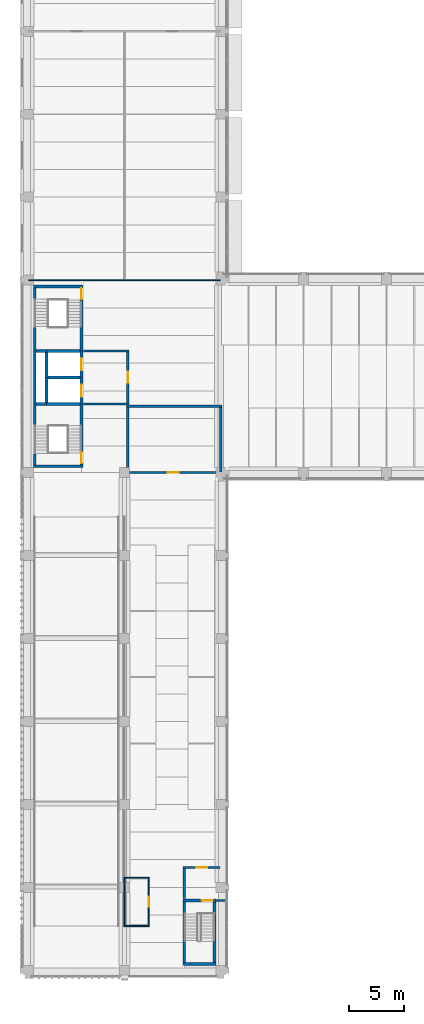
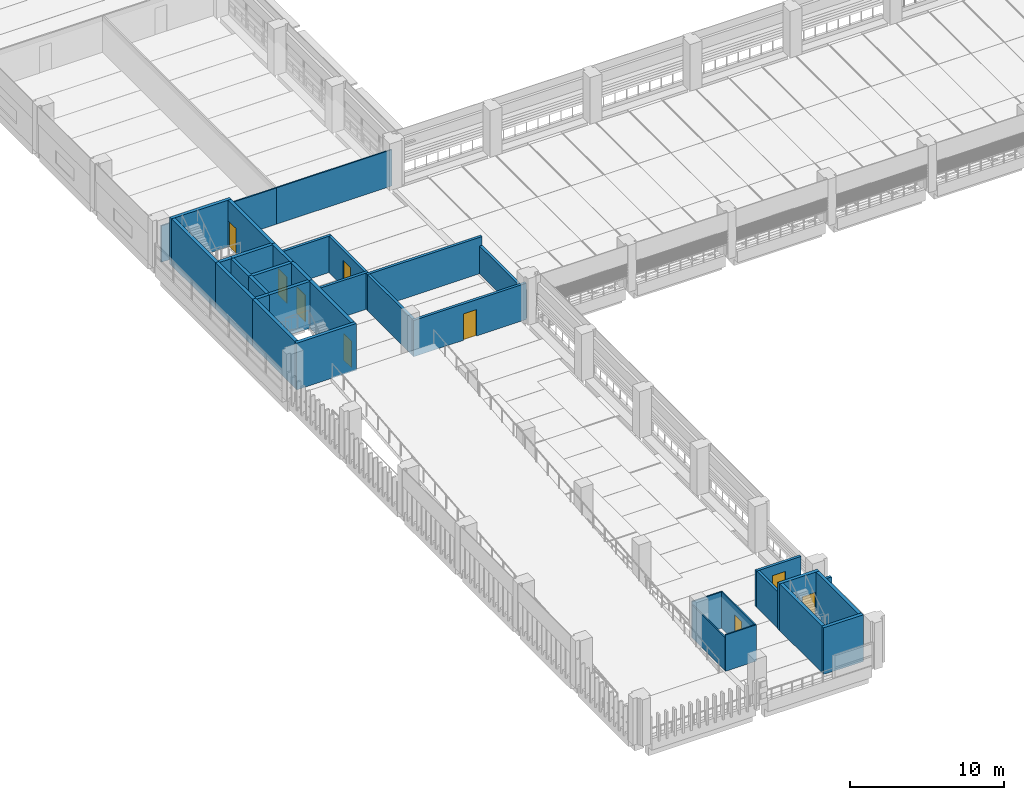
# One storey, part 29 of 57: 36 walls, 9 doors, 9 openings.
"""IFC4 building model written with IfcOpenShell, lengths in metres."""

from ifc_helpers import new_model, si_unit, direction, frame, frame_2d, origin, place, context, subcontext, project, spatial, rectangle, extrude, material, layer, layer_set, type_object, element, fill, save


model = new_model("IFC4")

# Units and contexts
model_context = context("Model", 3, precision=1e-05, world=origin(), true_north=direction((0.0, 1.0)))
body_context = subcontext(model_context, "Body", "Model", "MODEL_VIEW")
ifc_project = project(units=[si_unit("LENGTHUNIT", "METRE"), si_unit("AREAUNIT", "SQUARE_METRE"), si_unit("VOLUMEUNIT", "CUBIC_METRE"), si_unit("PLANEANGLEUNIT", "RADIAN"), si_unit("MASSUNIT", "GRAM", prefix="KILO")], contexts=[model_context])

# Site, building, storey
site_placement = place(None, origin())
site = spatial("IfcSite", under=ifc_project, at=site_placement, CompositionType="ELEMENT")
building_placement = place(site_placement, origin())
building = spatial("IfcBuilding", under=site, at=building_placement, Name="Cour d'Honneur Mobility Palace", CompositionType="ELEMENT")
storey_placement = place(building_placement, frame((0.0, 0.0, 8.199951171875)))
storey = spatial("IfcBuildingStorey", under=building, at=storey_placement, Name="L02", CompositionType="ELEMENT", Elevation=8.199951171875)

# Walls
ifc_material_1 = material(Name="Concrete C50", Category="concrete")
ifc_layer_1 = layer(ifc_material_1, 0.25)
ifc_layer_set_1 = layer_set([ifc_layer_1], Name="Concrete C50")
wall_type_1 = type_object("IfcWallType", Name="Lift shaft wall 250", PredefinedType="SHEAR", material=ifc_layer_set_1)
wall_1_placement = place(storey_placement, frame((1.77490234375, 53.60009765625, 0.0), z_axis=(0.0, 0.0, 1.0), x_axis=(1.0, 0.0, 0.0)))
element("IfcWall", 1, at=wall_1_placement, inside=storey, type_object=wall_type_1, Name="Lift shaft wall WL-CW4 L02", PredefinedType="SHEAR", context=body_context, shape_type="SweptSolid", body=[
    extrude(rectangle(XDim=2.900146484375, YDim=0.25, at=frame_2d((1.4501953125, 0.0))), origin(), (0.0, 0.0, 1.0), 3.699951171875),
])
wall_2_placement = place(storey_placement, frame((1.64990234375, 51.324951171875, 0.0), z_axis=(0.0, 0.0, 1.0), x_axis=(0.0, 1.0, 0.0)))
element("IfcWall", 2, at=wall_2_placement, inside=storey, type_object=wall_type_1, Name="Lift shaft wall WL-CW11 L02", PredefinedType="SHEAR", context=body_context, shape_type="SweptSolid", body=[
    extrude(rectangle(XDim=2.275146484375, YDim=0.25, at=frame_2d((1.1376953125, 0.0))), origin(), (0.0, 0.0, 1.0), 3.699951171875),
])
wall_3_placement = place(storey_placement, frame((1.64990234375, 53.60009765625, 0.0), z_axis=(0.0, 0.0, 1.0), x_axis=(0.0, 1.0, 0.0)))
element("IfcWall", 3, at=wall_3_placement, inside=storey, type_object=wall_type_1, Name="Lift shaft wall WL-CW12 L02", PredefinedType="SHEAR", context=body_context, shape_type="SweptSolid", body=[
    extrude(rectangle(XDim=2.27490234375, YDim=0.25, at=frame_2d((1.137451171875, 0.0))), origin(), (0.0, 0.0, 1.0), 3.699951171875),
])

# Wall, opening, door
wall_4_placement = place(storey_placement, frame((4.800048828125, 51.199951171875, 0.0), z_axis=(0.0, 0.0, 1.0), x_axis=(0.0, 1.0, 0.0)))
wall_4 = element("IfcWall", 4, at=wall_4_placement, inside=storey, type_object=wall_type_1, Name="Lift shaft wall WL-CW14 L02", PredefinedType="SHEAR", context=body_context, shape_type="SweptSolid", body=[
    extrude(rectangle(XDim=2.400146484375, YDim=0.25, at=frame_2d((1.2001953125, 0.0))), origin(), (0.0, 0.0, 1.0), 3.699951171875),
])
opening_1_placement = place(wall_4_placement, frame((0.64990234375, 0.0, 0.0)))
opening_1 = element("IfcOpeningElement", 5, at=opening_1_placement, cuts=wall_4, Name="Opening LD3", PredefinedType="OPENING", context=body_context, shape_type="SweptSolid", body=[
    extrude(rectangle(XDim=1.10009765625, YDim=2.10009765625, at=frame_2d((0.550048828125, 1.050048828125))), frame((0.0, 0.135009765625, 0.0), z_axis=(0.0, -1.0, 0.0), x_axis=(1.0, 0.0, 0.0)), (0.0, 0.0, 1.0), 0.27001953125),
])
ifc_material_2 = material(Name="Stainless steel", Category="steel")
door_type_1 = type_object("IfcDoorType", Name="Landing door 1100 x 2100", OperationType="SLIDING_TO_LEFT", PredefinedType="DOOR", material=ifc_material_2)
door_1_placement = place(opening_1_placement, origin())
door_1 = element("IfcDoor", 6, at=door_1_placement, inside=storey, type_object=door_type_1, Name="Landing door LF-CW1 L02", OperationType="SLIDING_TO_LEFT", OverallHeight=2.10009765625, OverallWidth=1.10009765625, PredefinedType="DOOR", context=body_context, shape_type="SweptSolid", body=[
    extrude(rectangle(XDim=1.10009765625, YDim=2.10009765625, at=frame_2d((0.550048828125, 1.050048828125))), frame((0.0, 0.02490234375, 0.0), z_axis=(0.0, -1.0, 0.0), x_axis=(1.0, 0.0, 0.0)), (0.0, 0.0, 1.0), 0.050048828125),
])
fill(opening_1, door_1)

wall_5_placement = place(storey_placement, frame((4.800048828125, 53.60009765625, 0.0), z_axis=(0.0, 0.0, 1.0), x_axis=(0.0, 1.0, 0.0)))
wall_5 = element("IfcWall", 7, at=wall_5_placement, inside=storey, type_object=wall_type_1, Name="Lift shaft wall WL-CW15 L02", PredefinedType="SHEAR", context=body_context, shape_type="SweptSolid", body=[
    extrude(rectangle(XDim=2.39990234375, YDim=0.25, at=frame_2d((1.199951171875, 0.0))), origin(), (0.0, 0.0, 1.0), 3.699951171875),
])
opening_2_placement = place(wall_5_placement, frame((0.64990234375, 0.0, 0.0)))
opening_2 = element("IfcOpeningElement", 8, at=opening_2_placement, cuts=wall_5, Name="Opening LD13", PredefinedType="OPENING", context=body_context, shape_type="SweptSolid", body=[
    extrude(rectangle(XDim=1.10009765625, YDim=2.10009765625, at=frame_2d((0.550048828125, 1.050048828125))), frame((0.0, 0.135009765625, 0.0), z_axis=(0.0, -1.0, 0.0), x_axis=(1.0, 0.0, 0.0)), (0.0, 0.0, 1.0), 0.27001953125),
])
door_2_placement = place(opening_2_placement, origin())
door_2 = element("IfcDoor", 9, at=door_2_placement, inside=storey, type_object=door_type_1, Name="Landing door LF-CW2 L02", OperationType="SLIDING_TO_LEFT", OverallHeight=2.10009765625, OverallWidth=1.10009765625, PredefinedType="DOOR", context=body_context, shape_type="SweptSolid", body=[
    extrude(rectangle(XDim=1.10009765625, YDim=2.10009765625, at=frame_2d((0.550048828125, 1.050048828125))), frame((0.0, 0.02490234375, 0.0), z_axis=(0.0, -1.0, 0.0), x_axis=(1.0, 0.0, 0.0)), (0.0, 0.0, 1.0), 0.050048828125),
])
fill(opening_2, door_2)

# Wall
ifc_material_3 = material(Name="Gypsum plasterboard")
ifc_layer_2 = layer(ifc_material_3, 0.10009765625)
ifc_layer_set_2 = layer_set([ifc_layer_2], Name="Gypsum plasterboard")
wall_type_2 = type_object("IfcWallType", Name="Partition 100", PredefinedType="PARTITIONING", material=ifc_layer_set_2)
wall_6_placement = place(storey_placement, frame((8.64990234375, 4.0, 0.0), z_axis=(0.0, 0.0, 1.0), x_axis=(1.0, 0.0, 0.0)))
element("IfcWall", 10, at=wall_6_placement, inside=storey, type_object=wall_type_2, Name="Partition 001", PredefinedType="PARTITIONING", context=body_context, shape_type="SweptSolid", body=[
    extrude(rectangle(XDim=2.300048828125, YDim=0.10009765625, at=frame_2d((1.14990234375, 0.0))), origin(), (0.0, 0.0, 1.0), 2.880126953125),
])

# Wall, opening, door
wall_7_placement = place(storey_placement, frame((10.89990234375, 4.050048828125, 0.0), z_axis=(0.0, 0.0, 1.0), x_axis=(0.0, 1.0, 0.0)))
wall_7 = element("IfcWall", 11, at=wall_7_placement, inside=storey, type_object=wall_type_2, Name="Partition 002", PredefinedType="PARTITIONING", context=body_context, shape_type="SweptSolid", body=[
    extrude(rectangle(XDim=4.25, YDim=0.10009765625, at=frame_2d((2.125, 0.0))), origin(), (0.0, 0.0, 1.0), 2.880126953125),
])
opening_3_placement = place(wall_7_placement, frame((1.675048828125, 0.0, 0.0)))
opening_3 = element("IfcOpeningElement", 12, at=opening_3_placement, cuts=wall_7, Name="Opening D0209", PredefinedType="OPENING", context=body_context, shape_type="SweptSolid", body=[
    extrude(rectangle(XDim=0.89990234375, YDim=2.10009765625, at=frame_2d((0.449951171875, 1.050048828125))), frame((0.0, 0.06005859375, 0.0), z_axis=(0.0, -1.0, 0.0), x_axis=(1.0, 0.0, 0.0)), (0.0, 0.0, 1.0), 0.1201171875),
])
ifc_material_4 = material(Name="Solid timber", Category="wood")
door_type_2 = type_object("IfcDoorType", Name="Single door 900 x 2100", OperationType="SINGLE_SWING_LEFT", PredefinedType="DOOR", material=ifc_material_4)
door_3_placement = place(opening_3_placement, origin())
door_3 = element("IfcDoor", 13, at=door_3_placement, inside=storey, type_object=door_type_2, Name="Door Attendant Room West", OperationType="SINGLE_SWING_LEFT", OverallHeight=2.10009765625, OverallWidth=0.89990234375, PredefinedType="DOOR", context=body_context, shape_type="SweptSolid", body=[
    extrude(rectangle(XDim=0.89990234375, YDim=2.10009765625, at=frame_2d((0.449951171875, 1.050048828125))), frame((0.0, 0.02490234375, 0.0), z_axis=(0.0, -1.0, 0.0), x_axis=(1.0, 0.0, 0.0)), (0.0, 0.0, 1.0), 0.050048828125),
])
fill(opening_3, door_3)

# Walls
wall_8_placement = place(storey_placement, frame((10.949951171875, 8.35009765625, 0.0), z_axis=(0.0, 0.0, 1.0), x_axis=(-1.0, 0.0, 0.0)))
element("IfcWall", 14, at=wall_8_placement, inside=storey, type_object=wall_type_2, Name="Partition 009", PredefinedType="PARTITIONING", context=body_context, shape_type="SweptSolid", body=[
    extrude(rectangle(XDim=2.300048828125, YDim=0.10009765625, at=frame_2d((1.14990234375, 0.0))), origin(), (0.0, 0.0, 1.0), 2.880126953125),
])
wall_9_placement = place(storey_placement, frame((0.06005859375, 62.39990234375, 0.0), z_axis=(0.0, 0.0, 1.0), x_axis=(1.0, 0.0, 0.0)))
element("IfcWall", 15, at=wall_9_placement, inside=storey, type_object=wall_type_2, Name="Partition 040", PredefinedType="PARTITIONING", context=body_context, shape_type="SweptSolid", body=[
    extrude(rectangle(XDim=8.639892578125, YDim=0.10009765625, at=frame_2d((4.31982421875, 0.0))), origin(), (0.0, 0.0, 1.0), 2.880126953125),
])
wall_10_placement = place(storey_placement, frame((8.699951171875, 62.39990234375, 0.0), z_axis=(0.0, 0.0, 1.0), x_axis=(1.0, 0.0, 0.0)))
element("IfcWall", 16, at=wall_10_placement, inside=storey, type_object=wall_type_2, Name="Partition 041", PredefinedType="PARTITIONING", context=body_context, shape_type="SweptSolid", body=[
    extrude(rectangle(XDim=8.64013671875, YDim=0.10009765625, at=frame_2d((4.320068359375, 0.0))), origin(), (0.0, 0.0, 1.0), 2.880126953125),
])
ifc_material_5 = material(Name="Gypsum plasterboard")
ifc_layer_3 = layer(ifc_material_5, 0.10009765625)
ifc_layer_set_3 = layer_set([ifc_layer_3], Name="Gypsum plasterboard")
wall_type_3 = type_object("IfcWallType", Name="Partition 100 under beam 1100", PredefinedType="PARTITIONING", material=ifc_layer_set_3)
wall_11_placement = place(storey_placement, frame((8.699951171875, 8.300048828125, 0.0), z_axis=(0.0, 0.0, 1.0), x_axis=(0.0, -1.0, 0.0)))
element("IfcWall", 17, at=wall_11_placement, inside=storey, type_object=wall_type_3, Name="Partition 008", PredefinedType="PARTITIONING", context=body_context, shape_type="SweptSolid", body=[
    extrude(rectangle(XDim=4.25, YDim=0.10009765625, at=frame_2d((2.125, 0.0))), origin(), (0.0, 0.0, 1.0), 2.60009765625),
])
ifc_material_6 = material(Name="Gypsum plasterboard")
ifc_layer_4 = layer(ifc_material_6, 0.199951171875)
ifc_layer_set_4 = layer_set([ifc_layer_4], Name="Gypsum plasterboard")
wall_type_4 = type_object("IfcWallType", Name="Partition 200 rated EI 120", PredefinedType="PARTITIONING", material=ifc_layer_set_4)
wall_12_placement = place(storey_placement, frame((16.949951171875, 6.300048828125, 0.0), z_axis=(0.0, 0.0, 1.0), x_axis=(1.0, 0.0, 0.0)))
element("IfcWall", 18, at=wall_12_placement, inside=storey, type_object=wall_type_4, Name="Partition 005", PredefinedType="PARTITIONING", context=body_context, shape_type="SweptSolid", body=[
    extrude(rectangle(XDim=0.949951171875, YDim=0.199951171875, at=frame_2d((0.47509765625, 0.0))), origin(), (0.0, 0.0, 1.0), 2.880126953125),
])
wall_13_placement = place(storey_placement, frame((14.10009765625, 9.199951171875, 0.0), z_axis=(0.0, 0.0, 1.0), x_axis=(0.0, -1.0, 0.0)))
element("IfcWall", 19, at=wall_13_placement, inside=storey, type_object=wall_type_4, Name="Partition 012", PredefinedType="PARTITIONING", context=body_context, shape_type="SweptSolid", body=[
    extrude(rectangle(XDim=2.724853515625, YDim=0.199951171875, at=frame_2d((1.3623046875, 0.0))), origin(), (0.0, 0.0, 1.0), 2.880126953125),
])

# Wall, opening, door
wall_14_placement = place(storey_placement, frame((17.340087890625, 9.300048828125, 0.0), z_axis=(0.0, 0.0, 1.0), x_axis=(-1.0, 0.0, 0.0)))
wall_14 = element("IfcWall", 20, at=wall_14_placement, inside=storey, type_object=wall_type_4, Name="Partition 013", PredefinedType="PARTITIONING", context=body_context, shape_type="SweptSolid", body=[
    extrude(rectangle(XDim=3.340087890625, YDim=0.199951171875, at=frame_2d((1.669921875, 0.0))), origin(), (0.0, 0.0, 1.0), 2.880126953125),
])
opening_4_placement = place(wall_14_placement, frame((1.169921875, 0.0, 0.0)))
opening_4 = element("IfcOpeningElement", 21, at=opening_4_placement, cuts=wall_14, Name="Opening D0207", PredefinedType="OPENING", context=body_context, shape_type="SweptSolid", body=[
    extrude(rectangle(XDim=1.0, YDim=2.10009765625, at=frame_2d((0.5, 1.050048828125))), frame((0.0, 0.10986328125, 0.0), z_axis=(0.0, -1.0, 0.0), x_axis=(1.0, 0.0, 0.0)), (0.0, 0.0, 1.0), 0.219970703125),
])
ifc_material_7 = material(Name="Galvanised steel", Category="steel")
door_type_3 = type_object("IfcDoorType", Name="Fire door FD120 1000 x 2100", OperationType="SINGLE_SWING_LEFT", PredefinedType="DOOR", material=ifc_material_7)
door_4_placement = place(opening_4_placement, origin())
door_4 = element("IfcDoor", 22, at=door_4_placement, inside=storey, type_object=door_type_3, Name="Door Stair Lobby RW", OperationType="SINGLE_SWING_LEFT", OverallHeight=2.10009765625, OverallWidth=1.0, PredefinedType="DOOR", context=body_context, shape_type="SweptSolid", body=[
    extrude(rectangle(XDim=1.0, YDim=2.10009765625, at=frame_2d((0.5, 1.050048828125))), frame((0.0, 0.02490234375, 0.0), z_axis=(0.0, -1.0, 0.0), x_axis=(1.0, 0.0, 0.0)), (0.0, 0.0, 1.0), 0.050048828125),
])
fill(opening_4, door_4)

wall_15_placement = place(storey_placement, frame((8.89990234375, 45.0, 0.0), z_axis=(0.0, 0.0, 1.0), x_axis=(1.0, 0.0, 0.0)))
wall_15 = element("IfcWall", 23, at=wall_15_placement, inside=storey, type_object=wall_type_4, Name="Partition 015", PredefinedType="PARTITIONING", context=body_context, shape_type="SweptSolid", body=[
    extrude(rectangle(XDim=8.440185546875, YDim=0.199951171875, at=frame_2d((4.22021484375, 0.0))), origin(), (0.0, 0.0, 1.0), 2.880126953125),
])
opening_5_placement = place(wall_15_placement, frame((3.719970703125, 0.0, 0.0)))
opening_5 = element("IfcOpeningElement", 24, at=opening_5_placement, cuts=wall_15, Name="Opening D0211", PredefinedType="OPENING", context=body_context, shape_type="SweptSolid", body=[
    extrude(rectangle(XDim=1.0, YDim=2.10009765625, at=frame_2d((0.5, 1.050048828125))), frame((0.0, 0.10986328125, 0.0), z_axis=(0.0, -1.0, 0.0), x_axis=(1.0, 0.0, 0.0)), (0.0, 0.0, 1.0), 0.219970703125),
])
door_5_placement = place(opening_5_placement, origin())
door_5 = element("IfcDoor", 25, at=door_5_placement, inside=storey, type_object=door_type_3, Name="Door EV Switch Room West", OperationType="SINGLE_SWING_RIGHT", OverallHeight=2.10009765625, OverallWidth=1.0, PredefinedType="DOOR", context=body_context, shape_type="SweptSolid", body=[
    extrude(rectangle(XDim=1.0, YDim=2.10009765625, at=frame_2d((0.5, 1.050048828125))), frame((0.0, 0.02490234375, 0.0), z_axis=(0.0, -1.0, 0.0), x_axis=(1.0, 0.0, 0.0)), (0.0, 0.0, 1.0), 0.050048828125),
])
fill(opening_5, door_5)

# Walls
wall_16_placement = place(storey_placement, frame((9.0, 50.89990234375, 0.0), z_axis=(0.0, 0.0, 1.0), x_axis=(0.0, -1.0, 0.0)))
element("IfcWall", 26, at=wall_16_placement, inside=storey, type_object=wall_type_4, Name="Partition 024", PredefinedType="PARTITIONING", context=body_context, shape_type="SweptSolid", body=[
    extrude(rectangle(XDim=5.7998046875, YDim=0.199951171875, at=frame_2d((2.89990234375, 0.0))), origin(), (0.0, 0.0, 1.0), 2.880126953125),
])
wall_17_placement = place(storey_placement, frame((17.5, 51.0, 0.0), z_axis=(0.0, 0.0, 1.0), x_axis=(-1.0, 0.0, 0.0)))
element("IfcWall", 27, at=wall_17_placement, inside=storey, type_object=wall_type_4, Name="Partition 025", PredefinedType="PARTITIONING", context=body_context, shape_type="SweptSolid", body=[
    extrude(rectangle(XDim=8.60009765625, YDim=0.199951171875, at=frame_2d((4.300048828125, 0.0))), origin(), (0.0, 0.0, 1.0), 2.880126953125),
])
wall_18_placement = place(storey_placement, frame((4.97509765625, 51.199951171875, 0.0), z_axis=(0.0, 0.0, 1.0), x_axis=(1.0, 0.0, 0.0)))
element("IfcWall", 28, at=wall_18_placement, inside=storey, type_object=wall_type_4, Name="Partition 028", PredefinedType="PARTITIONING", context=body_context, shape_type="SweptSolid", body=[
    extrude(rectangle(XDim=4.125, YDim=0.199951171875, at=frame_2d((2.0625, 0.0))), origin(), (0.0, 0.0, 1.0), 2.880126953125),
])

# Wall, opening, door
wall_19_placement = place(storey_placement, frame((9.0, 51.300048828125, 0.0), z_axis=(0.0, 0.0, 1.0), x_axis=(0.0, 1.0, 0.0)))
wall_19 = element("IfcWall", 29, at=wall_19_placement, inside=storey, type_object=wall_type_4, Name="Partition 029", PredefinedType="PARTITIONING", context=body_context, shape_type="SweptSolid", body=[
    extrude(rectangle(XDim=4.599853515625, YDim=0.199951171875, at=frame_2d((2.2998046875, 0.0))), origin(), (0.0, 0.0, 1.0), 2.880126953125),
])
opening_6_placement = place(wall_19_placement, frame((1.800048828125, 0.0, 0.0)))
opening_6 = element("IfcOpeningElement", 30, at=opening_6_placement, cuts=wall_19, Name="Opening D0201", PredefinedType="OPENING", context=body_context, shape_type="SweptSolid", body=[
    extrude(rectangle(XDim=1.0, YDim=2.10009765625, at=frame_2d((0.5, 1.050048828125))), frame((0.0, 0.10986328125, 0.0), z_axis=(0.0, -1.0, 0.0), x_axis=(1.0, 0.0, 0.0)), (0.0, 0.0, 1.0), 0.219970703125),
])
door_6_placement = place(opening_6_placement, origin())
door_6 = element("IfcDoor", 31, at=door_6_placement, inside=storey, type_object=door_type_3, Name="Door Firefighting Lobby CW", OperationType="SINGLE_SWING_RIGHT", OverallHeight=2.10009765625, OverallWidth=1.0, PredefinedType="DOOR", context=body_context, shape_type="SweptSolid", body=[
    extrude(rectangle(XDim=1.0, YDim=2.10009765625, at=frame_2d((0.5, 1.050048828125))), frame((0.0, 0.02490234375, 0.0), z_axis=(0.0, -1.0, 0.0), x_axis=(1.0, 0.0, 0.0)), (0.0, 0.0, 1.0), 0.050048828125),
])
fill(opening_6, door_6)

# Walls
wall_20_placement = place(storey_placement, frame((9.10009765625, 56.0, 0.0), z_axis=(0.0, 0.0, 1.0), x_axis=(-1.0, 0.0, 0.0)))
element("IfcWall", 32, at=wall_20_placement, inside=storey, type_object=wall_type_4, Name="Partition 037", PredefinedType="PARTITIONING", context=body_context, shape_type="SweptSolid", body=[
    extrude(rectangle(XDim=4.125, YDim=0.199951171875, at=frame_2d((2.0625, 0.0))), origin(), (0.0, 0.0, 1.0), 2.880126953125),
])
ifc_material_8 = material(Name="Gypsum plasterboard")
ifc_layer_5 = layer(ifc_material_8, 0.199951171875)
ifc_layer_set_5 = layer_set([ifc_layer_5], Name="Gypsum plasterboard")
wall_type_5 = type_object("IfcWallType", Name="Partition 200 rated EI 120 under beam 1500", PredefinedType="PARTITIONING", material=ifc_layer_set_5)
wall_21_placement = place(storey_placement, frame((17.39990234375, 45.06005859375, 0.0), z_axis=(0.0, 0.0, 1.0), x_axis=(0.0, 1.0, 0.0)))
element("IfcWall", 33, at=wall_21_placement, inside=storey, type_object=wall_type_5, Name="Partition 018", PredefinedType="PARTITIONING", context=body_context, shape_type="SweptSolid", body=[
    extrude(rectangle(XDim=5.83984375, YDim=0.199951171875, at=frame_2d((2.919921875, 0.0))), origin(), (0.0, 0.0, 1.0), 2.199951171875),
])
ifc_material_9 = material(Name="Concrete C50", Category="concrete")
ifc_layer_6 = layer(ifc_material_9, 0.25)
ifc_layer_set_6 = layer_set([ifc_layer_6], Name="Concrete C50")
wall_type_6 = type_object("IfcWallType", Name="Shaft wall 250", PredefinedType="SHEAR", material=ifc_layer_set_6)
wall_22_placement = place(storey_placement, frame((0.574951171875, 51.199951171875, 0.0), z_axis=(0.0, 0.0, 1.0), x_axis=(0.0, 1.0, 0.0)))
element("IfcWall", 34, at=wall_22_placement, inside=storey, type_object=wall_type_6, Name="Shaft wall WR-CW9 L02", PredefinedType="SHEAR", context=body_context, shape_type="SweptSolid", body=[
    extrude(rectangle(XDim=4.800048828125, YDim=0.25, at=frame_2d((2.39990234375, 0.0))), origin(), (0.0, 0.0, 1.0), 3.699951171875),
])
ifc_material_10 = material(Name="Concrete C50", Category="concrete")
ifc_layer_7 = layer(ifc_material_10, 0.25)
ifc_layer_set_7 = layer_set([ifc_layer_7], Name="Concrete C50")
wall_type_7 = type_object("IfcWallType", Name="Stair wall 250", PredefinedType="SHEAR", material=ifc_layer_set_7)
wall_23_placement = place(storey_placement, frame((0.449951171875, 45.574951171875, 0.0), z_axis=(0.0, 0.0, 1.0), x_axis=(1.0, 0.0, 0.0)))
element("IfcWall", 35, at=wall_23_placement, inside=storey, type_object=wall_type_7, Name="Stair wall WS-CW1 L02", PredefinedType="SHEAR", context=body_context, shape_type="SweptSolid", body=[
    extrude(rectangle(XDim=4.47509765625, YDim=0.25, at=frame_2d((2.237548828125, 0.0))), origin(), (0.0, 0.0, 1.0), 3.699951171875),
])
wall_24_placement = place(storey_placement, frame((0.699951171875, 51.199951171875, 0.0), z_axis=(0.0, 0.0, 1.0), x_axis=(1.0, 0.0, 0.0)))
element("IfcWall", 36, at=wall_24_placement, inside=storey, type_object=wall_type_7, Name="Stair wall WS-CW2 L02", PredefinedType="SHEAR", context=body_context, shape_type="SweptSolid", body=[
    extrude(rectangle(XDim=0.949951171875, YDim=0.25, at=frame_2d((0.47509765625, 0.0))), origin(), (0.0, 0.0, 1.0), 3.699951171875),
])
wall_25_placement = place(storey_placement, frame((1.64990234375, 51.199951171875, 0.0), z_axis=(0.0, 0.0, 1.0), x_axis=(1.0, 0.0, 0.0)))
element("IfcWall", 37, at=wall_25_placement, inside=storey, type_object=wall_type_7, Name="Stair wall WS-CW3 L02", PredefinedType="SHEAR", context=body_context, shape_type="SweptSolid", body=[
    extrude(rectangle(XDim=3.025146484375, YDim=0.25, at=frame_2d((1.5126953125, 0.0))), origin(), (0.0, 0.0, 1.0), 3.699951171875),
])
wall_26_placement = place(storey_placement, frame((0.699951171875, 56.0, 0.0), z_axis=(0.0, 0.0, 1.0), x_axis=(1.0, 0.0, 0.0)))
element("IfcWall", 38, at=wall_26_placement, inside=storey, type_object=wall_type_7, Name="Stair wall WS-CW5 L02", PredefinedType="SHEAR", context=body_context, shape_type="SweptSolid", body=[
    extrude(rectangle(XDim=0.949951171875, YDim=0.25, at=frame_2d((0.47509765625, 0.0))), origin(), (0.0, 0.0, 1.0), 3.699951171875),
])
wall_27_placement = place(storey_placement, frame((1.64990234375, 56.0, 0.0), z_axis=(0.0, 0.0, 1.0), x_axis=(1.0, 0.0, 0.0)))
element("IfcWall", 39, at=wall_27_placement, inside=storey, type_object=wall_type_7, Name="Stair wall WS-CW6 L02", PredefinedType="SHEAR", context=body_context, shape_type="SweptSolid", body=[
    extrude(rectangle(XDim=3.025146484375, YDim=0.25, at=frame_2d((1.5126953125, 0.0))), origin(), (0.0, 0.0, 1.0), 3.699951171875),
])
wall_28_placement = place(storey_placement, frame((0.449951171875, 61.824951171875, 0.0), z_axis=(0.0, 0.0, 1.0), x_axis=(1.0, 0.0, 0.0)))
element("IfcWall", 40, at=wall_28_placement, inside=storey, type_object=wall_type_7, Name="Stair wall WS-CW7 L02", PredefinedType="SHEAR", context=body_context, shape_type="SweptSolid", body=[
    extrude(rectangle(XDim=4.47509765625, YDim=0.25, at=frame_2d((2.237548828125, 0.0))), origin(), (0.0, 0.0, 1.0), 3.699951171875),
])
wall_29_placement = place(storey_placement, frame((0.574951171875, 45.699951171875, 0.0), z_axis=(0.0, 0.0, 1.0), x_axis=(0.0, 1.0, 0.0)))
element("IfcWall", 41, at=wall_29_placement, inside=storey, type_object=wall_type_7, Name="Stair wall WS-CW8 L02", PredefinedType="SHEAR", context=body_context, shape_type="SweptSolid", body=[
    extrude(rectangle(XDim=5.5, YDim=0.25, at=frame_2d((2.75, 0.0))), origin(), (0.0, 0.0, 1.0), 3.699951171875),
])
wall_30_placement = place(storey_placement, frame((0.574951171875, 56.0, 0.0), z_axis=(0.0, 0.0, 1.0), x_axis=(0.0, 1.0, 0.0)))
element("IfcWall", 42, at=wall_30_placement, inside=storey, type_object=wall_type_7, Name="Stair wall WS-CW10 L02", PredefinedType="SHEAR", context=body_context, shape_type="SweptSolid", body=[
    extrude(rectangle(XDim=5.699951171875, YDim=0.25, at=frame_2d((2.85009765625, 0.0))), origin(), (0.0, 0.0, 1.0), 3.699951171875),
])

# Wall, opening, door
wall_31_placement = place(storey_placement, frame((4.800048828125, 45.699951171875, 0.0), z_axis=(0.0, 0.0, 1.0), x_axis=(0.0, 1.0, 0.0)))
wall_31 = element("IfcWall", 43, at=wall_31_placement, inside=storey, type_object=wall_type_7, Name="Stair wall WS-CW13 L02", PredefinedType="SHEAR", context=body_context, shape_type="SweptSolid", body=[
    extrude(rectangle(XDim=5.5, YDim=0.25, at=frame_2d((2.75, 0.0))), origin(), (0.0, 0.0, 1.0), 3.699951171875),
])
opening_7_placement = place(wall_31_placement, frame((0.14990234375, 0.0, 0.0)))
opening_7 = element("IfcOpeningElement", 44, at=opening_7_placement, cuts=wall_31, Name="Opening S131", PredefinedType="OPENING", context=body_context, shape_type="SweptSolid", body=[
    extrude(rectangle(XDim=1.0, YDim=2.10009765625, at=frame_2d((0.5, 1.050048828125))), frame((0.0, 0.135009765625, 0.0), z_axis=(0.0, -1.0, 0.0), x_axis=(1.0, 0.0, 0.0)), (0.0, 0.0, 1.0), 0.27001953125),
])
ifc_material_11 = material(Name="Galvanised steel", Category="steel")
door_type_4 = type_object("IfcDoorType", Name="Fire door FD120 stair 1000 x 2100", OperationType="SINGLE_SWING_LEFT", PredefinedType="DOOR", material=ifc_material_11)
door_7_placement = place(opening_7_placement, origin())
door_7 = element("IfcDoor", 45, at=door_7_placement, inside=storey, type_object=door_type_4, Name="Stair door ST-CW1 L02", OperationType="SINGLE_SWING_RIGHT", OverallHeight=2.10009765625, OverallWidth=1.0, PredefinedType="DOOR", context=body_context, shape_type="SweptSolid", body=[
    extrude(rectangle(XDim=1.0, YDim=2.10009765625, at=frame_2d((0.5, 1.050048828125))), frame((0.0, 0.02490234375, 0.0), z_axis=(0.0, -1.0, 0.0), x_axis=(1.0, 0.0, 0.0)), (0.0, 0.0, 1.0), 0.050048828125),
])
fill(opening_7, door_7)

wall_32_placement = place(storey_placement, frame((4.800048828125, 56.0, 0.0), z_axis=(0.0, 0.0, 1.0), x_axis=(0.0, 1.0, 0.0)))
wall_32 = element("IfcWall", 46, at=wall_32_placement, inside=storey, type_object=wall_type_7, Name="Stair wall WS-CW16 L02", PredefinedType="SHEAR", context=body_context, shape_type="SweptSolid", body=[
    extrude(rectangle(XDim=5.699951171875, YDim=0.25, at=frame_2d((2.85009765625, 0.0))), origin(), (0.0, 0.0, 1.0), 3.699951171875),
])
opening_8_placement = place(wall_32_placement, frame((4.675048828125, 0.0, 0.0)))
opening_8 = element("IfcOpeningElement", 47, at=opening_8_placement, cuts=wall_32, Name="Opening S67", PredefinedType="OPENING", context=body_context, shape_type="SweptSolid", body=[
    extrude(rectangle(XDim=1.0, YDim=2.10009765625, at=frame_2d((0.5, 1.050048828125))), frame((0.0, 0.135009765625, 0.0), z_axis=(0.0, -1.0, 0.0), x_axis=(1.0, 0.0, 0.0)), (0.0, 0.0, 1.0), 0.27001953125),
])
door_8_placement = place(opening_8_placement, origin())
door_8 = element("IfcDoor", 48, at=door_8_placement, inside=storey, type_object=door_type_4, Name="Stair door ST-CW2 L02", OperationType="SINGLE_SWING_LEFT", OverallHeight=2.10009765625, OverallWidth=1.0, PredefinedType="DOOR", context=body_context, shape_type="SweptSolid", body=[
    extrude(rectangle(XDim=1.0, YDim=2.10009765625, at=frame_2d((0.5, 1.050048828125))), frame((0.0, 0.02490234375, 0.0), z_axis=(0.0, -1.0, 0.0), x_axis=(1.0, 0.0, 0.0)), (0.0, 0.0, 1.0), 0.050048828125),
])
fill(opening_8, door_8)

# Wall
wall_33_placement = place(storey_placement, frame((13.97509765625, 0.574951171875, 0.0), z_axis=(0.0, 0.0, 1.0), x_axis=(1.0, 0.0, 0.0)))
element("IfcWall", 49, at=wall_33_placement, inside=storey, type_object=wall_type_7, Name="Stair wall WS-RW1 L02", PredefinedType="SHEAR", context=body_context, shape_type="SweptSolid", body=[
    extrude(rectangle(XDim=2.974853515625, YDim=0.25, at=frame_2d((1.4873046875, 0.0))), origin(), (0.0, 0.0, 1.0), 3.699951171875),
])

# Wall, opening, door
wall_34_placement = place(storey_placement, frame((13.97509765625, 6.300048828125, 0.0), z_axis=(0.0, 0.0, 1.0), x_axis=(1.0, 0.0, 0.0)))
wall_34 = element("IfcWall", 50, at=wall_34_placement, inside=storey, type_object=wall_type_7, Name="Stair wall WS-RW2 L02", PredefinedType="SHEAR", context=body_context, shape_type="SweptSolid", body=[
    extrude(rectangle(XDim=2.974853515625, YDim=0.25, at=frame_2d((1.4873046875, 0.0))), origin(), (0.0, 0.0, 1.0), 3.699951171875),
])
opening_9_placement = place(wall_34_placement, frame((1.72509765625, 0.0, 0.0)))
opening_9 = element("IfcOpeningElement", 51, at=opening_9_placement, cuts=wall_34, Name="Opening S111", PredefinedType="OPENING", context=body_context, shape_type="SweptSolid", body=[
    extrude(rectangle(XDim=1.0, YDim=2.10009765625, at=frame_2d((0.5, 1.050048828125))), frame((0.0, 0.135009765625, 0.0), z_axis=(0.0, -1.0, 0.0), x_axis=(1.0, 0.0, 0.0)), (0.0, 0.0, 1.0), 0.27001953125),
])
door_9_placement = place(opening_9_placement, origin())
door_9 = element("IfcDoor", 52, at=door_9_placement, inside=storey, type_object=door_type_4, Name="Stair door ST-RW1 L02", OperationType="SINGLE_SWING_RIGHT", OverallHeight=2.10009765625, OverallWidth=1.0, PredefinedType="DOOR", context=body_context, shape_type="SweptSolid", body=[
    extrude(rectangle(XDim=1.0, YDim=2.10009765625, at=frame_2d((0.5, 1.050048828125))), frame((0.0, 0.02490234375, 0.0), z_axis=(0.0, -1.0, 0.0), x_axis=(1.0, 0.0, 0.0)), (0.0, 0.0, 1.0), 0.050048828125),
])
fill(opening_9, door_9)

# Walls
for number, where, z_axis, x_axis, name in (
    (53, (14.10009765625, 0.699951171875, 0.0), (0.0, 0.0, 1.0), (0.0, 1.0, 0.0), "Stair wall WS-RW3 L02"),
    (54, (16.824951171875, 0.699951171875, 0.0), (0.0, 0.0, 1.0), (0.0, 1.0, 0.0), "Stair wall WS-RW4 L02"),
):
    element("IfcWall", number, at=place(storey_placement, frame(where, z_axis=z_axis, x_axis=x_axis)), inside=storey, type_object=wall_type_7, Name=name, PredefinedType="SHEAR", context=body_context, shape_type="SweptSolid", body=[
        extrude(rectangle(XDim=5.47509765625, YDim=0.25, at=frame_2d((2.737548828125, 0.0))), origin(), (0.0, 0.0, 1.0), 3.699951171875),
    ])

save(model, "model.ifc")
